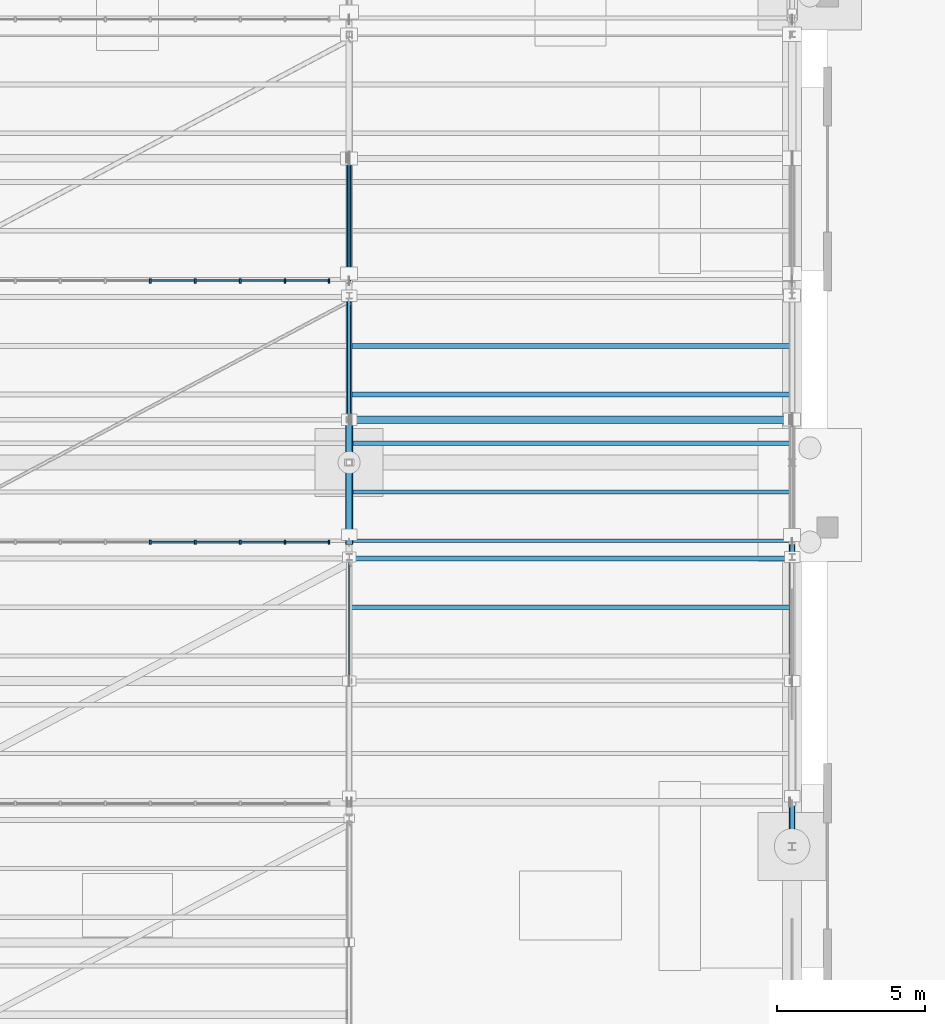
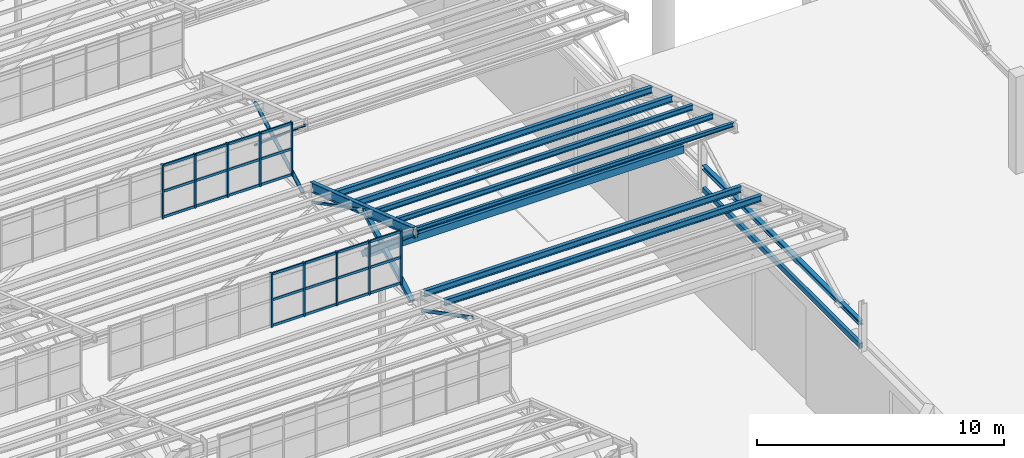
# One storey, part 120 of 285: 41 members, 10 beams, 2 elements without a shape of their own.
"""IFC4 building model written with IfcOpenShell, lengths in metres."""

from ifc_helpers import new_model, si_unit, direction, frame, origin, origin_2d, place, context, subcontext, project, spatial, rectangle, hollow_rectangle, hollow_circle, i_section, extrude, material, material_profile, profile_set, type_object, element, aggregate, save


model = new_model("IFC4")

# Units and contexts
model_context = context("Model", 3, precision=1e-05, world=origin(), true_north=direction((0.0, 1.0)))
body_context = subcontext(model_context, "Body", "Model", "MODEL_VIEW")
ifc_project = project(units=[si_unit("LENGTHUNIT", "METRE"), si_unit("AREAUNIT", "SQUARE_METRE"), si_unit("VOLUMEUNIT", "CUBIC_METRE"), si_unit("PLANEANGLEUNIT", "RADIAN"), si_unit("MASSUNIT", "GRAM", prefix="KILO")], contexts=[model_context])

# Site, building, storey
site_placement = place(None, origin())
site = spatial("IfcSite", under=ifc_project, at=site_placement, CompositionType="ELEMENT")
building_placement = place(site_placement, origin())
building = spatial("IfcBuilding", under=site, at=building_placement, Name="Solanera Park Tramway Depot", CompositionType="ELEMENT")
storey_placement = place(building_placement, origin())
storey = spatial("IfcBuildingStorey", under=building, at=storey_placement, Name="L00", CompositionType="ELEMENT", Elevation=0.0)

# Curtain wall, members
ifc_material_1 = material(Name="Bronze-anodised thermally broken aluminium curtain wall", Category="aluminium")
curtain_wall_type = type_object("IfcCurtainWallType", Name="Sawtooth Clerestory Monitor Curtain Wall", PredefinedType="NOTDEFINED", material=ifc_material_1)
curtain_wall_1_placement = place(storey_placement, origin())
curtain_wall_1 = element("IfcCurtainWall", 1, at=curtain_wall_1_placement, inside=storey, type_object=curtain_wall_type, Name="L00 Sawtooth Clerestory Monitor Curtain Wall #027", PredefinedType="NOTDEFINED")
ifc_material_2 = material(Name="Bronze-anodised structural aluminium 6063-T6", Category="aluminium")
ifc_material_profile_1 = material_profile(ifc_material_2, rectangle(XDim=0.06494140625, YDim=0.14990234375, at=origin_2d()), Name="Curtain Wall Mullion 65x150")
ifc_profile_set_1 = profile_set([ifc_material_profile_1], Name="Bronze-anodised structural aluminium 6063-T6")
member_type_1 = type_object("IfcMemberType", Name="Curtain Wall Mullion 65x150", PredefinedType="MULLION", material=ifc_profile_set_1)
member_1_placement = place(storey_placement, frame((128.260986328125, 82.300048828125, 7.75), z_axis=(0.0, 0.0, 1.0), x_axis=(1.0, 0.0, 0.0)))
member_1 = element("IfcMember", 2, at=member_1_placement, type_object=member_type_1, Name="CW-L00-027 Mullion 6", PredefinedType="MULLION", context=body_context, shape_type="SweptSolid", body=[
    extrude(rectangle(XDim=0.06494140625, YDim=0.14990234375, at=origin_2d()), origin(), (0.0, 0.0, 1.0), 2.6611328125),
])
member_2_placement = place(storey_placement, frame((129.783203125, 82.300048828125, 7.75), z_axis=(0.0, 0.0, 1.0), x_axis=(1.0, 0.0, 0.0)))
member_2 = element("IfcMember", 3, at=member_2_placement, type_object=member_type_1, Name="CW-L00-027 Mullion 7", PredefinedType="MULLION", context=body_context, shape_type="SweptSolid", body=[
    extrude(rectangle(XDim=0.06494140625, YDim=0.14990234375, at=origin_2d()), origin(), (0.0, 0.0, 1.0), 2.6611328125),
])
member_3_placement = place(storey_placement, frame((131.3056640625, 82.300048828125, 7.75), z_axis=(0.0, 0.0, 1.0), x_axis=(1.0, 0.0, 0.0)))
member_3 = element("IfcMember", 4, at=member_3_placement, type_object=member_type_1, Name="CW-L00-027 Mullion 8", PredefinedType="MULLION", context=body_context, shape_type="SweptSolid", body=[
    extrude(rectangle(XDim=0.06494140625, YDim=0.14990234375, at=origin_2d()), origin(), (0.0, 0.0, 1.0), 2.6611328125),
])
member_4_placement = place(storey_placement, frame((132.827880859375, 82.300048828125, 7.75), z_axis=(0.0, 0.0, 1.0), x_axis=(1.0, 0.0, 0.0)))
member_4 = element("IfcMember", 5, at=member_4_placement, type_object=member_type_1, Name="CW-L00-027 Mullion 9", PredefinedType="MULLION", context=body_context, shape_type="SweptSolid", body=[
    extrude(rectangle(XDim=0.06494140625, YDim=0.14990234375, at=origin_2d()), origin(), (0.0, 0.0, 1.0), 2.6611328125),
])
member_5_placement = place(storey_placement, frame((134.3173828125, 82.300048828125, 7.75), z_axis=(0.0, 0.0, 1.0), x_axis=(1.0, 0.0, 0.0)))
member_5 = element("IfcMember", 6, at=member_5_placement, type_object=member_type_1, Name="CW-L00-027 Mullion 10", PredefinedType="MULLION", context=body_context, shape_type="SweptSolid", body=[
    extrude(rectangle(XDim=0.06494140625, YDim=0.14990234375, at=origin_2d()), origin(), (0.0, 0.0, 1.0), 2.6611328125),
])

curtain_wall_2_placement = place(storey_placement, origin())
curtain_wall_2 = element("IfcCurtainWall", 7, at=curtain_wall_2_placement, inside=storey, type_object=curtain_wall_type, Name="L00 Sawtooth Clerestory Monitor Curtain Wall #035", PredefinedType="NOTDEFINED")
member_6_placement = place(storey_placement, frame((128.260986328125, 91.14990234375, 7.75), z_axis=(0.0, 0.0, 1.0), x_axis=(1.0, 0.0, 0.0)))
member_6 = element("IfcMember", 8, at=member_6_placement, type_object=member_type_1, Name="CW-L00-035 Mullion 6", PredefinedType="MULLION", context=body_context, shape_type="SweptSolid", body=[
    extrude(rectangle(XDim=0.06494140625, YDim=0.14990234375, at=origin_2d()), origin(), (0.0, 0.0, 1.0), 2.6611328125),
])
member_7_placement = place(storey_placement, frame((129.783203125, 91.14990234375, 7.75), z_axis=(0.0, 0.0, 1.0), x_axis=(1.0, 0.0, 0.0)))
member_7 = element("IfcMember", 9, at=member_7_placement, type_object=member_type_1, Name="CW-L00-035 Mullion 7", PredefinedType="MULLION", context=body_context, shape_type="SweptSolid", body=[
    extrude(rectangle(XDim=0.06494140625, YDim=0.14990234375, at=origin_2d()), origin(), (0.0, 0.0, 1.0), 2.6611328125),
])
member_8_placement = place(storey_placement, frame((131.3056640625, 91.14990234375, 7.75), z_axis=(0.0, 0.0, 1.0), x_axis=(1.0, 0.0, 0.0)))
member_8 = element("IfcMember", 10, at=member_8_placement, type_object=member_type_1, Name="CW-L00-035 Mullion 8", PredefinedType="MULLION", context=body_context, shape_type="SweptSolid", body=[
    extrude(rectangle(XDim=0.06494140625, YDim=0.14990234375, at=origin_2d()), origin(), (0.0, 0.0, 1.0), 2.6611328125),
])
member_9_placement = place(storey_placement, frame((132.827880859375, 91.14990234375, 7.75), z_axis=(0.0, 0.0, 1.0), x_axis=(1.0, 0.0, 0.0)))
member_9 = element("IfcMember", 11, at=member_9_placement, type_object=member_type_1, Name="CW-L00-035 Mullion 9", PredefinedType="MULLION", context=body_context, shape_type="SweptSolid", body=[
    extrude(rectangle(XDim=0.06494140625, YDim=0.14990234375, at=origin_2d()), origin(), (0.0, 0.0, 1.0), 2.6611328125),
])
member_10_placement = place(storey_placement, frame((134.3173828125, 91.14990234375, 7.75), z_axis=(0.0, 0.0, 1.0), x_axis=(1.0, 0.0, 0.0)))
member_10 = element("IfcMember", 12, at=member_10_placement, type_object=member_type_1, Name="CW-L00-035 Mullion 10", PredefinedType="MULLION", context=body_context, shape_type="SweptSolid", body=[
    extrude(rectangle(XDim=0.06494140625, YDim=0.14990234375, at=origin_2d()), origin(), (0.0, 0.0, 1.0), 2.6611328125),
])

# Member
ifc_material_3 = material(Name="Bronze-anodised structural aluminium 6063-T6", Category="aluminium")
ifc_material_profile_2 = material_profile(ifc_material_3, rectangle(XDim=0.06494140625, YDim=0.1201171875, at=origin_2d()), Name="Curtain Wall Transom 65x120")
ifc_profile_set_2 = profile_set([ifc_material_profile_2], Name="Bronze-anodised structural aluminium 6063-T6")
member_type_2 = type_object("IfcMemberType", Name="Curtain Wall Transom 65x120", PredefinedType="USERDEFINED", material=ifc_profile_set_2)
member_11_placement = place(storey_placement, frame((128.2890625, 82.300048828125, 7.81005859375), z_axis=(1.0, 0.0, 0.0), x_axis=(0.0, 1.0, 0.0)))
member_11 = element("IfcMember", 13, at=member_11_placement, type_object=member_type_2, Name="CW-L00-027 Transom R1.C6", ObjectType="TRANSOM", PredefinedType="USERDEFINED", context=body_context, shape_type="SweptSolid", body=[
    extrude(rectangle(XDim=0.06494140625, YDim=0.1201171875, at=origin_2d()), origin(), (0.0, 0.0, 1.0), 1.46630859375),
])

member_12_placement = place(storey_placement, frame((129.811279296875, 82.300048828125, 7.81005859375), z_axis=(1.0, 0.0, 0.0), x_axis=(0.0, 1.0, 0.0)))
member_12 = element("IfcMember", 14, at=member_12_placement, type_object=member_type_2, Name="CW-L00-027 Transom R1.C7", ObjectType="TRANSOM", PredefinedType="USERDEFINED", context=body_context, shape_type="SweptSolid", body=[
    extrude(rectangle(XDim=0.06494140625, YDim=0.1201171875, at=origin_2d()), origin(), (0.0, 0.0, 1.0), 1.46630859375),
])

member_13_placement = place(storey_placement, frame((131.33349609375, 82.300048828125, 7.81005859375), z_axis=(1.0, 0.0, 0.0), x_axis=(0.0, 1.0, 0.0)))
member_13 = element("IfcMember", 15, at=member_13_placement, type_object=member_type_2, Name="CW-L00-027 Transom R1.C8", ObjectType="TRANSOM", PredefinedType="USERDEFINED", context=body_context, shape_type="SweptSolid", body=[
    extrude(rectangle(XDim=0.06494140625, YDim=0.1201171875, at=origin_2d()), origin(), (0.0, 0.0, 1.0), 1.46630859375),
])

member_14_placement = place(storey_placement, frame((132.855712890625, 82.300048828125, 7.81005859375), z_axis=(1.0, 0.0, 0.0), x_axis=(0.0, 1.0, 0.0)))
member_14 = element("IfcMember", 16, at=member_14_placement, type_object=member_type_2, Name="CW-L00-027 Transom R1.C9", ObjectType="TRANSOM", PredefinedType="USERDEFINED", context=body_context, shape_type="SweptSolid", body=[
    extrude(rectangle(XDim=0.06494140625, YDim=0.1201171875, at=origin_2d()), origin(), (0.0, 0.0, 1.0), 1.433837890625),
])

member_15_placement = place(storey_placement, frame((128.2890625, 82.300048828125, 9.08056640625), z_axis=(1.0, 0.0, 0.0), x_axis=(0.0, 1.0, 0.0)))
member_15 = element("IfcMember", 17, at=member_15_placement, type_object=member_type_2, Name="CW-L00-027 Transom R2.C6", ObjectType="TRANSOM", PredefinedType="USERDEFINED", context=body_context, shape_type="SweptSolid", body=[
    extrude(rectangle(XDim=0.06494140625, YDim=0.1201171875, at=origin_2d()), origin(), (0.0, 0.0, 1.0), 1.46630859375),
])

member_16_placement = place(storey_placement, frame((129.811279296875, 82.300048828125, 9.08056640625), z_axis=(1.0, 0.0, 0.0), x_axis=(0.0, 1.0, 0.0)))
member_16 = element("IfcMember", 18, at=member_16_placement, type_object=member_type_2, Name="CW-L00-027 Transom R2.C7", ObjectType="TRANSOM", PredefinedType="USERDEFINED", context=body_context, shape_type="SweptSolid", body=[
    extrude(rectangle(XDim=0.06494140625, YDim=0.1201171875, at=origin_2d()), origin(), (0.0, 0.0, 1.0), 1.46630859375),
])

member_17_placement = place(storey_placement, frame((131.33349609375, 82.300048828125, 9.08056640625), z_axis=(1.0, 0.0, 0.0), x_axis=(0.0, 1.0, 0.0)))
member_17 = element("IfcMember", 19, at=member_17_placement, type_object=member_type_2, Name="CW-L00-027 Transom R2.C8", ObjectType="TRANSOM", PredefinedType="USERDEFINED", context=body_context, shape_type="SweptSolid", body=[
    extrude(rectangle(XDim=0.06494140625, YDim=0.1201171875, at=origin_2d()), origin(), (0.0, 0.0, 1.0), 1.46630859375),
])

member_18_placement = place(storey_placement, frame((132.855712890625, 82.300048828125, 9.08056640625), z_axis=(1.0, 0.0, 0.0), x_axis=(0.0, 1.0, 0.0)))
member_18 = element("IfcMember", 20, at=member_18_placement, type_object=member_type_2, Name="CW-L00-027 Transom R2.C9", ObjectType="TRANSOM", PredefinedType="USERDEFINED", context=body_context, shape_type="SweptSolid", body=[
    extrude(rectangle(XDim=0.06494140625, YDim=0.1201171875, at=origin_2d()), origin(), (0.0, 0.0, 1.0), 1.433837890625),
])

member_19_placement = place(storey_placement, frame((128.2890625, 82.300048828125, 10.351318359375), z_axis=(1.0, 0.0, 0.0), x_axis=(0.0, 1.0, 0.0)))
member_19 = element("IfcMember", 21, at=member_19_placement, type_object=member_type_2, Name="CW-L00-027 Transom R3.C6", ObjectType="TRANSOM", PredefinedType="USERDEFINED", context=body_context, shape_type="SweptSolid", body=[
    extrude(rectangle(XDim=0.06494140625, YDim=0.1201171875, at=origin_2d()), origin(), (0.0, 0.0, 1.0), 1.46630859375),
])

member_20_placement = place(storey_placement, frame((129.811279296875, 82.300048828125, 10.351318359375), z_axis=(1.0, 0.0, 0.0), x_axis=(0.0, 1.0, 0.0)))
member_20 = element("IfcMember", 22, at=member_20_placement, type_object=member_type_2, Name="CW-L00-027 Transom R3.C7", ObjectType="TRANSOM", PredefinedType="USERDEFINED", context=body_context, shape_type="SweptSolid", body=[
    extrude(rectangle(XDim=0.06494140625, YDim=0.1201171875, at=origin_2d()), origin(), (0.0, 0.0, 1.0), 1.46630859375),
])

member_21_placement = place(storey_placement, frame((131.33349609375, 82.300048828125, 10.351318359375), z_axis=(1.0, 0.0, 0.0), x_axis=(0.0, 1.0, 0.0)))
member_21 = element("IfcMember", 23, at=member_21_placement, type_object=member_type_2, Name="CW-L00-027 Transom R3.C8", ObjectType="TRANSOM", PredefinedType="USERDEFINED", context=body_context, shape_type="SweptSolid", body=[
    extrude(rectangle(XDim=0.06494140625, YDim=0.1201171875, at=origin_2d()), origin(), (0.0, 0.0, 1.0), 1.46630859375),
])

member_22_placement = place(storey_placement, frame((132.855712890625, 82.300048828125, 10.351318359375), z_axis=(1.0, 0.0, 0.0), x_axis=(0.0, 1.0, 0.0)))
member_22 = element("IfcMember", 24, at=member_22_placement, type_object=member_type_2, Name="CW-L00-027 Transom R3.C9", ObjectType="TRANSOM", PredefinedType="USERDEFINED", context=body_context, shape_type="SweptSolid", body=[
    extrude(rectangle(XDim=0.06494140625, YDim=0.1201171875, at=origin_2d()), origin(), (0.0, 0.0, 1.0), 1.433837890625),
])

aggregate(curtain_wall_1, [member_1, member_2, member_3, member_4, member_5, member_11, member_12, member_13, member_14, member_15, member_16, member_17, member_18, member_19, member_20, member_21, member_22])

member_23_placement = place(storey_placement, frame((128.2890625, 91.14990234375, 7.81005859375), z_axis=(1.0, 0.0, 0.0), x_axis=(0.0, 1.0, 0.0)))
member_23 = element("IfcMember", 25, at=member_23_placement, type_object=member_type_2, Name="CW-L00-035 Transom R1.C6", ObjectType="TRANSOM", PredefinedType="USERDEFINED", context=body_context, shape_type="SweptSolid", body=[
    extrude(rectangle(XDim=0.06494140625, YDim=0.1201171875, at=origin_2d()), origin(), (0.0, 0.0, 1.0), 1.46630859375),
])

member_24_placement = place(storey_placement, frame((129.811279296875, 91.14990234375, 7.81005859375), z_axis=(1.0, 0.0, 0.0), x_axis=(0.0, 1.0, 0.0)))
member_24 = element("IfcMember", 26, at=member_24_placement, type_object=member_type_2, Name="CW-L00-035 Transom R1.C7", ObjectType="TRANSOM", PredefinedType="USERDEFINED", context=body_context, shape_type="SweptSolid", body=[
    extrude(rectangle(XDim=0.06494140625, YDim=0.1201171875, at=origin_2d()), origin(), (0.0, 0.0, 1.0), 1.46630859375),
])

member_25_placement = place(storey_placement, frame((131.33349609375, 91.14990234375, 7.81005859375), z_axis=(1.0, 0.0, 0.0), x_axis=(0.0, 1.0, 0.0)))
member_25 = element("IfcMember", 27, at=member_25_placement, type_object=member_type_2, Name="CW-L00-035 Transom R1.C8", ObjectType="TRANSOM", PredefinedType="USERDEFINED", context=body_context, shape_type="SweptSolid", body=[
    extrude(rectangle(XDim=0.06494140625, YDim=0.1201171875, at=origin_2d()), origin(), (0.0, 0.0, 1.0), 1.46630859375),
])

member_26_placement = place(storey_placement, frame((132.855712890625, 91.14990234375, 7.81005859375), z_axis=(1.0, 0.0, 0.0), x_axis=(0.0, 1.0, 0.0)))
member_26 = element("IfcMember", 28, at=member_26_placement, type_object=member_type_2, Name="CW-L00-035 Transom R1.C9", ObjectType="TRANSOM", PredefinedType="USERDEFINED", context=body_context, shape_type="SweptSolid", body=[
    extrude(rectangle(XDim=0.06494140625, YDim=0.1201171875, at=origin_2d()), origin(), (0.0, 0.0, 1.0), 1.433837890625),
])

member_27_placement = place(storey_placement, frame((128.2890625, 91.14990234375, 9.08056640625), z_axis=(1.0, 0.0, 0.0), x_axis=(0.0, 1.0, 0.0)))
member_27 = element("IfcMember", 29, at=member_27_placement, type_object=member_type_2, Name="CW-L00-035 Transom R2.C6", ObjectType="TRANSOM", PredefinedType="USERDEFINED", context=body_context, shape_type="SweptSolid", body=[
    extrude(rectangle(XDim=0.06494140625, YDim=0.1201171875, at=origin_2d()), origin(), (0.0, 0.0, 1.0), 1.46630859375),
])

member_28_placement = place(storey_placement, frame((129.811279296875, 91.14990234375, 9.08056640625), z_axis=(1.0, 0.0, 0.0), x_axis=(0.0, 1.0, 0.0)))
member_28 = element("IfcMember", 30, at=member_28_placement, type_object=member_type_2, Name="CW-L00-035 Transom R2.C7", ObjectType="TRANSOM", PredefinedType="USERDEFINED", context=body_context, shape_type="SweptSolid", body=[
    extrude(rectangle(XDim=0.06494140625, YDim=0.1201171875, at=origin_2d()), origin(), (0.0, 0.0, 1.0), 1.46630859375),
])

member_29_placement = place(storey_placement, frame((131.33349609375, 91.14990234375, 9.08056640625), z_axis=(1.0, 0.0, 0.0), x_axis=(0.0, 1.0, 0.0)))
member_29 = element("IfcMember", 31, at=member_29_placement, type_object=member_type_2, Name="CW-L00-035 Transom R2.C8", ObjectType="TRANSOM", PredefinedType="USERDEFINED", context=body_context, shape_type="SweptSolid", body=[
    extrude(rectangle(XDim=0.06494140625, YDim=0.1201171875, at=origin_2d()), origin(), (0.0, 0.0, 1.0), 1.46630859375),
])

member_30_placement = place(storey_placement, frame((132.855712890625, 91.14990234375, 9.08056640625), z_axis=(1.0, 0.0, 0.0), x_axis=(0.0, 1.0, 0.0)))
member_30 = element("IfcMember", 32, at=member_30_placement, type_object=member_type_2, Name="CW-L00-035 Transom R2.C9", ObjectType="TRANSOM", PredefinedType="USERDEFINED", context=body_context, shape_type="SweptSolid", body=[
    extrude(rectangle(XDim=0.06494140625, YDim=0.1201171875, at=origin_2d()), origin(), (0.0, 0.0, 1.0), 1.433837890625),
])

member_31_placement = place(storey_placement, frame((128.2890625, 91.14990234375, 10.351318359375), z_axis=(1.0, 0.0, 0.0), x_axis=(0.0, 1.0, 0.0)))
member_31 = element("IfcMember", 33, at=member_31_placement, type_object=member_type_2, Name="CW-L00-035 Transom R3.C6", ObjectType="TRANSOM", PredefinedType="USERDEFINED", context=body_context, shape_type="SweptSolid", body=[
    extrude(rectangle(XDim=0.06494140625, YDim=0.1201171875, at=origin_2d()), origin(), (0.0, 0.0, 1.0), 1.46630859375),
])

member_32_placement = place(storey_placement, frame((129.811279296875, 91.14990234375, 10.351318359375), z_axis=(1.0, 0.0, 0.0), x_axis=(0.0, 1.0, 0.0)))
member_32 = element("IfcMember", 34, at=member_32_placement, type_object=member_type_2, Name="CW-L00-035 Transom R3.C7", ObjectType="TRANSOM", PredefinedType="USERDEFINED", context=body_context, shape_type="SweptSolid", body=[
    extrude(rectangle(XDim=0.06494140625, YDim=0.1201171875, at=origin_2d()), origin(), (0.0, 0.0, 1.0), 1.46630859375),
])

member_33_placement = place(storey_placement, frame((131.33349609375, 91.14990234375, 10.351318359375), z_axis=(1.0, 0.0, 0.0), x_axis=(0.0, 1.0, 0.0)))
member_33 = element("IfcMember", 35, at=member_33_placement, type_object=member_type_2, Name="CW-L00-035 Transom R3.C8", ObjectType="TRANSOM", PredefinedType="USERDEFINED", context=body_context, shape_type="SweptSolid", body=[
    extrude(rectangle(XDim=0.06494140625, YDim=0.1201171875, at=origin_2d()), origin(), (0.0, 0.0, 1.0), 1.46630859375),
])

member_34_placement = place(storey_placement, frame((132.855712890625, 91.14990234375, 10.351318359375), z_axis=(1.0, 0.0, 0.0), x_axis=(0.0, 1.0, 0.0)))
member_34 = element("IfcMember", 36, at=member_34_placement, type_object=member_type_2, Name="CW-L00-035 Transom R3.C9", ObjectType="TRANSOM", PredefinedType="USERDEFINED", context=body_context, shape_type="SweptSolid", body=[
    extrude(rectangle(XDim=0.06494140625, YDim=0.1201171875, at=origin_2d()), origin(), (0.0, 0.0, 1.0), 1.433837890625),
])

aggregate(curtain_wall_2, [member_6, member_7, member_8, member_9, member_10, member_23, member_24, member_25, member_26, member_27, member_28, member_29, member_30, member_31, member_32, member_33, member_34])

# Beam
ifc_material_4 = material(Name="Steel AS/NZS 1163 Grade C350L0", Category="steel")
ifc_material_profile_3 = material_profile(ifc_material_4, hollow_rectangle(XDim=0.14990234375, YDim=0.25, WallThickness=0.008056640625, at=origin_2d()), Name="250x150x8.0 RHS")
ifc_profile_set_3 = profile_set([ifc_material_profile_3], Name="Steel AS/NZS 1163 Grade C350L0")
beam_type_1 = type_object("IfcBeamType", Name="Opening Lintel Beam 250x150x8.0 RHS", PredefinedType="LINTEL", material=ifc_profile_set_3)
beam_1_placement = place(storey_placement, frame((150.0, 72.1201171875, 5.375), z_axis=(0.0, 1.0, 0.0), x_axis=(-1.0, 0.0, 0.0)))
element("IfcBeam", 37, at=beam_1_placement, inside=storey, type_object=beam_type_1, Name="L00 Portal Transom Lintel 250x150x8.0 RHS #0298", PredefinedType="LINTEL", context=body_context, shape_type="SweptSolid", body=[
    extrude(hollow_rectangle(XDim=0.14990234375, YDim=0.25, WallThickness=0.008056640625, at=origin_2d()), origin(), (0.0, 0.0, 1.0), 12.759765625),
])

# Members
ifc_material_5 = material(Name="Steel AS/NZS 1163 Grade C350L0", Category="steel")
ifc_material_profile_4 = material_profile(ifc_material_5, hollow_circle(Radius=0.084228515625, WallThickness=0.00634765625, at=origin_2d()), Name="168.3x6.4 CHS")
ifc_profile_set_4 = profile_set([ifc_material_profile_4], Name="Steel AS/NZS 1163 Grade C350L0")
member_type_3 = type_object("IfcMemberType", Name="Roof Gantry Compression Strut 168.3x6.4 CHS", PredefinedType="STRUT", material=ifc_profile_set_4)
member_35_placement = place(storey_placement, frame((135.0, 91.39990234375, 6.5), z_axis=(0.0, 0.877679219611, 0.479248565425), x_axis=(-1.0, 0.0, 0.0)))
element("IfcMember", 38, at=member_35_placement, inside=storey, type_object=member_type_3, Name="Sawtooth ROOF TRUSS Strut 168.3x6.4 CHS #0208", PredefinedType="STRUT", context=body_context, shape_type="SweptSolid", body=[
    extrude(hollow_circle(Radius=0.084228515625, WallThickness=0.00634765625, at=origin_2d()), origin(), (0.0, 0.0, 1.0), 4.443603515625),
])
ifc_material_6 = material(Name="Steel AS/NZS 1163 Grade C350L0", Category="steel")
ifc_material_profile_5 = material_profile(ifc_material_6, hollow_rectangle(XDim=0.199951171875, YDim=0.199951171875, WallThickness=0.008056640625, at=origin_2d()), Name="200x200x8.0 SHS")
ifc_profile_set_5 = profile_set([ifc_material_profile_5], Name="Steel AS/NZS 1163 Grade C350L0")
member_type_4 = type_object("IfcMemberType", Name="Roof Gantry Compression Strut 200x200x8.0 SHS", PredefinedType="STRUT", material=ifc_profile_set_5)
member_36_placement = place(storey_placement, frame((135.0, 82.550048828125, 6.5), z_axis=(0.0, 0.874074669389, 0.485791593517), x_axis=(-1.0, 0.0, 0.0)))
element("IfcMember", 39, at=member_36_placement, inside=storey, type_object=member_type_4, Name="Sawtooth ROOF TRUSS Strut 200x200x8.0 SHS #0161", PredefinedType="STRUT", context=body_context, shape_type="SweptSolid", body=[
    extrude(hollow_rectangle(XDim=0.199951171875, YDim=0.199951171875, WallThickness=0.008056640625, at=origin_2d()), origin(), (0.0, 0.0, 1.0), 4.461669921875),
])
ifc_material_7 = material(Name="Steel AS/NZS 1163 Grade C350L0", Category="steel")
ifc_material_profile_6 = material_profile(ifc_material_7, hollow_rectangle(XDim=0.25, YDim=0.35009765625, WallThickness=0.010009765625, at=origin_2d()), Name="350x250x10.0 RHS")
ifc_profile_set_6 = profile_set([ifc_material_profile_6], Name="Steel AS/NZS 1163 Grade C350L0")
member_type_5 = type_object("IfcMemberType", Name="Secondary Truss Chord 350x250x10.0 RHS", PredefinedType="CHORD", material=ifc_profile_set_6)
member_37_placement = place(storey_placement, frame((135.087890625, 86.449951171875, 6.5), z_axis=(1.0, 0.0, 0.0), x_axis=(0.0, 1.0, 0.0)))
element("IfcMember", 40, at=member_37_placement, inside=storey, type_object=member_type_5, Name="Sawtooth Longitudinal Tie Chord 350x250x10.0 RHS #0178", PredefinedType="CHORD", context=body_context, shape_type="SweptSolid", body=[
    extrude(hollow_rectangle(XDim=0.25, YDim=0.35009765625, WallThickness=0.010009765625, at=origin_2d()), origin(), (0.0, 0.0, 1.0), 14.82421875),
])

# Beams
ifc_material_8 = material(Name="Steel AS/NZS 3679.1 Grade 350", Category="steel")
ifc_material_profile_7 = material_profile(ifc_material_8, i_section(OverallWidth=0.205078125, OverallDepth=0.209716796875, WebThickness=0.00927734375, FlangeThickness=0.01416015625, at=origin_2d()), Name="200UC59.5")
ifc_profile_set_7 = profile_set([ifc_material_profile_7], Name="Steel AS/NZS 3679.1 Grade 350")
beam_type_2 = type_object("IfcBeamType", Name="Steel Beam 200UC59.5", PredefinedType="BEAM", material=ifc_profile_set_7)
beam_2_placement = place(storey_placement, frame((150.0, 72.126953125, 6.5), z_axis=(0.0, 1.0, 0.0), x_axis=(-1.0, 0.0, 0.0)))
element("IfcBeam", 41, at=beam_2_placement, inside=storey, type_object=beam_type_2, Name="Sawtooth ROOF TRUSS Bottom Chord 200UC59.5 #0397", PredefinedType="BEAM", context=body_context, shape_type="SweptSolid", body=[
    extrude(i_section(OverallWidth=0.205078125, OverallDepth=0.209716796875, WebThickness=0.00927734375, FlangeThickness=0.01416015625, at=origin_2d()), origin(), (0.0, 0.0, 1.0), 12.745361328125),
])
ifc_material_9 = material(Name="Steel AS/NZS 3679.1 Grade 350", Category="steel")
ifc_material_profile_8 = material_profile(ifc_material_9, i_section(OverallWidth=0.1904296875, OverallDepth=0.45751953125, WebThickness=0.009033203125, FlangeThickness=0.014404296875, at=origin_2d()), Name="460UB74.6")
ifc_profile_set_8 = profile_set([ifc_material_profile_8], Name="Steel AS/NZS 3679.1 Grade 350")
beam_type_3 = type_object("IfcBeamType", Name="Steel Beam 460UB74.6", PredefinedType="BEAM", material=ifc_profile_set_8)
beam_3_placement = place(storey_placement, frame((135.0, 82.300048828125, 10.05615234375), z_axis=(0.0, 0.948319437663, -0.317317261034), x_axis=(-1.0, 0.0, 0.0)))
element("IfcBeam", 42, at=beam_3_placement, inside=storey, type_object=beam_type_3, Name="Sawtooth ROOF TRUSS Top Rafter 460UB74.6 B04-T10", PredefinedType="BEAM", context=body_context, shape_type="SweptSolid", body=[
    extrude(i_section(OverallWidth=0.1904296875, OverallDepth=0.45751953125, WebThickness=0.009033203125, FlangeThickness=0.014404296875, at=origin_2d()), origin(), (0.0, 0.0, 1.0), 8.804931640625),
])
ifc_material_10 = material(Name="Steel AS/NZS 3679.1 Grade 350", Category="steel")
ifc_material_profile_9 = material_profile(ifc_material_10, i_section(OverallWidth=0.13330078125, OverallDepth=0.203125, WebThickness=0.005859375, FlangeThickness=0.0078125, at=origin_2d()), Name="200UB25.4")
ifc_profile_set_9 = profile_set([ifc_material_profile_9], Name="Steel AS/NZS 3679.1 Grade 350")
beam_type_4 = type_object("IfcBeamType", Name="Steel Joist Purlin 200UB25.4", PredefinedType="JOIST", material=ifc_profile_set_9)
beam_4_placement = place(storey_placement, frame((135.087158203125, 82.35009765625, 10.166259765625), z_axis=(1.0, 0.0, 0.0), x_axis=(0.0, 1.0, 0.0)))
element("IfcBeam", 43, at=beam_4_placement, inside=storey, type_object=beam_type_4, Name="Sawtooth Roof Purlin 200UB25.4 B04.1", PredefinedType="JOIST", context=body_context, shape_type="SweptSolid", body=[
    extrude(i_section(OverallWidth=0.13330078125, OverallDepth=0.203125, WebThickness=0.005859375, FlangeThickness=0.0078125, at=origin_2d()), origin(), (0.0, 0.0, 1.0), 14.816162109375),
])
ifc_material_11 = material(Name="Steel AS/NZS 3679.1 Grade 350", Category="steel")
ifc_material_profile_10 = material_profile(ifc_material_11, i_section(OverallWidth=0.14599609375, OverallDepth=0.251708984375, WebThickness=0.006103515625, FlangeThickness=0.008544921875, at=origin_2d()), Name="250UB31.4")
ifc_profile_set_10 = profile_set([ifc_material_profile_10], Name="Steel AS/NZS 3679.1 Grade 350")
beam_type_5 = type_object("IfcBeamType", Name="Steel Joist Purlin 250UB31.4", PredefinedType="JOIST", material=ifc_profile_set_10)
beam_5_placement = place(storey_placement, frame((135.087158203125, 84.0, 9.587890625), z_axis=(1.0, 0.0, 0.0), x_axis=(0.0, 1.0, 0.0)))
element("IfcBeam", 44, at=beam_5_placement, inside=storey, type_object=beam_type_5, Name="Sawtooth Roof Purlin 250UB31.4 B04.2", PredefinedType="JOIST", context=body_context, shape_type="SweptSolid", body=[
    extrude(i_section(OverallWidth=0.14599609375, OverallDepth=0.251708984375, WebThickness=0.006103515625, FlangeThickness=0.008544921875, at=origin_2d()), origin(), (0.0, 0.0, 1.0), 14.816162109375),
])
ifc_material_12 = material(Name="Steel AS/NZS 3679.1 Grade 350", Category="steel")
ifc_material_profile_11 = material_profile(ifc_material_12, i_section(OverallWidth=0.146484375, OverallDepth=0.256103515625, WebThickness=0.00634765625, FlangeThickness=0.010986328125, at=origin_2d()), Name="250UB37.3")
ifc_profile_set_11 = profile_set([ifc_material_profile_11], Name="Steel AS/NZS 3679.1 Grade 350")
beam_type_6 = type_object("IfcBeamType", Name="Steel Joist Purlin 250UB37.3", PredefinedType="JOIST", material=ifc_profile_set_11)
beam_6_placement = place(storey_placement, frame((135.087158203125, 85.64990234375, 9.033203125), z_axis=(1.0, 0.0, 0.0), x_axis=(0.0, 1.0, 0.0)))
element("IfcBeam", 45, at=beam_6_placement, inside=storey, type_object=beam_type_6, Name="Sawtooth Roof Purlin 250UB37.3 B04.3", PredefinedType="JOIST", context=body_context, shape_type="SweptSolid", body=[
    extrude(i_section(OverallWidth=0.146484375, OverallDepth=0.256103515625, WebThickness=0.00634765625, FlangeThickness=0.010986328125, at=origin_2d()), origin(), (0.0, 0.0, 1.0), 14.816162109375),
])
ifc_material_13 = material(Name="Steel AS/NZS 3679.1 Grade 350", Category="steel")
ifc_material_profile_12 = material_profile(ifc_material_13, i_section(OverallWidth=0.1650390625, OverallDepth=0.3037109375, WebThickness=0.006103515625, FlangeThickness=0.01025390625, at=origin_2d()), Name="310UB40.4")
ifc_profile_set_12 = profile_set([ifc_material_profile_12], Name="Steel AS/NZS 3679.1 Grade 350")
beam_type_7 = type_object("IfcBeamType", Name="Steel Joist Purlin 310UB40.4", PredefinedType="JOIST", material=ifc_profile_set_12)
beam_7_placement = place(storey_placement, frame((135.080810546875, 80.10009765625, 7.902099609375), z_axis=(1.0, 0.0, 0.0), x_axis=(0.0, 1.0, 0.0)))
element("IfcBeam", 46, at=beam_7_placement, inside=storey, type_object=beam_type_7, Name="Sawtooth Roof Purlin 310UB40.4 B03.5", PredefinedType="JOIST", context=body_context, shape_type="SweptSolid", body=[
    extrude(i_section(OverallWidth=0.1650390625, OverallDepth=0.3037109375, WebThickness=0.006103515625, FlangeThickness=0.01025390625, at=origin_2d()), origin(), (0.0, 0.0, 1.0), 14.83203125),
])
beam_8_placement = place(storey_placement, frame((135.087158203125, 87.300048828125, 8.454345703125), z_axis=(1.0, 0.0, 0.0), x_axis=(0.0, 1.0, 0.0)))
element("IfcBeam", 47, at=beam_8_placement, inside=storey, type_object=beam_type_7, Name="Sawtooth Roof Purlin 310UB40.4 B04.4", PredefinedType="JOIST", context=body_context, shape_type="SweptSolid", body=[
    extrude(i_section(OverallWidth=0.1650390625, OverallDepth=0.3037109375, WebThickness=0.006103515625, FlangeThickness=0.01025390625, at=origin_2d()), origin(), (0.0, 0.0, 1.0), 14.816162109375),
])
ifc_material_14 = material(Name="Steel AS/NZS 3679.1 Grade 350", Category="steel")
ifc_material_profile_13 = material_profile(ifc_material_14, i_section(OverallWidth=0.166015625, OverallDepth=0.30712890625, WebThickness=0.006591796875, FlangeThickness=0.01171875, at=origin_2d()), Name="310UB46.2")
ifc_profile_set_13 = profile_set([ifc_material_profile_13], Name="Steel AS/NZS 3679.1 Grade 350")
beam_type_8 = type_object("IfcBeamType", Name="Steel Joist Purlin 310UB46.2", PredefinedType="JOIST", material=ifc_profile_set_13)
beam_9_placement = place(storey_placement, frame((135.080810546875, 81.75, 7.348388671875), z_axis=(1.0, 0.0, 0.0), x_axis=(0.0, 1.0, 0.0)))
element("IfcBeam", 48, at=beam_9_placement, inside=storey, type_object=beam_type_8, Name="Sawtooth Roof Purlin 310UB46.2 B03.6", PredefinedType="JOIST", context=body_context, shape_type="SweptSolid", body=[
    extrude(i_section(OverallWidth=0.166015625, OverallDepth=0.30712890625, WebThickness=0.006591796875, FlangeThickness=0.01171875, at=origin_2d()), origin(), (0.0, 0.0, 1.0), 14.83203125),
])
beam_10_placement = place(storey_placement, frame((135.087158203125, 88.949951171875, 7.900390625), z_axis=(1.0, 0.0, 0.0), x_axis=(0.0, 1.0, 0.0)))
element("IfcBeam", 49, at=beam_10_placement, inside=storey, type_object=beam_type_8, Name="Sawtooth Roof Purlin 310UB46.2 B04.5", PredefinedType="JOIST", context=body_context, shape_type="SweptSolid", body=[
    extrude(i_section(OverallWidth=0.166015625, OverallDepth=0.30712890625, WebThickness=0.006591796875, FlangeThickness=0.01171875, at=origin_2d()), origin(), (0.0, 0.0, 1.0), 14.816162109375),
])

# Members
ifc_material_15 = material(Name="Steel AS/NZS 1163 Grade C350L0", Category="steel")
ifc_material_profile_14 = material_profile(ifc_material_15, hollow_rectangle(XDim=0.10009765625, YDim=0.10009765625, WallThickness=0.0048828125, at=origin_2d()), Name="100x100x5.0 SHS")
ifc_profile_set_14 = profile_set([ifc_material_profile_14], Name="Steel AS/NZS 1163 Grade C350L0")
member_type_6 = type_object("IfcMemberType", Name="Truss and Frame Brace 100x100x5.0 SHS", PredefinedType="BRACE", material=ifc_profile_set_14)
member_38_placement = place(storey_placement, frame((135.0, 90.64990234375, 6.5), z_axis=(0.0, -0.888641030015, 0.458603445008), x_axis=(1.0, 0.0, 0.0)))
element("IfcMember", 50, at=member_38_placement, inside=storey, type_object=member_type_6, Name="Sawtooth ROOF TRUSS Diagonal 100x100x5.0 SHS #0160", PredefinedType="BRACE", context=body_context, shape_type="SweptSolid", body=[
    extrude(hollow_rectangle(XDim=0.10009765625, YDim=0.10009765625, WallThickness=0.0048828125, at=origin_2d()), origin(), (0.0, 0.0, 1.0), 4.726318359375),
])
ifc_material_16 = material(Name="Steel AS/NZS 1163 Grade C350L0", Category="steel")
ifc_material_profile_15 = material_profile(ifc_material_16, hollow_circle(Radius=0.05712890625, WallThickness=0.0048828125, at=origin_2d()), Name="114.3x4.8 CHS")
ifc_profile_set_15 = profile_set([ifc_material_profile_15], Name="Steel AS/NZS 1163 Grade C350L0")
member_type_7 = type_object("IfcMemberType", Name="Truss and Frame Brace 114.3x4.8 CHS", PredefinedType="BRACE", material=ifc_profile_set_15)
member_39_placement = place(storey_placement, frame((135.0, 95.300048828125, 6.5), z_axis=(0.0, -0.762783427217, 0.646654036686), x_axis=(1.0, 0.0, 0.0)))
element("IfcMember", 51, at=member_39_placement, inside=storey, type_object=member_type_7, Name="Sawtooth ROOF TRUSS Web Brace 114.3x4.8 CHS #0206", PredefinedType="BRACE", context=body_context, shape_type="SweptSolid", body=[
    extrude(hollow_circle(Radius=0.05712890625, WallThickness=0.0048828125, at=origin_2d()), origin(), (0.0, 0.0, 1.0), 5.440673828125),
])
ifc_material_17 = material(Name="Steel AS/NZS 1163 Grade C350L0", Category="steel")
ifc_material_profile_16 = material_profile(ifc_material_17, hollow_rectangle(XDim=0.050048828125, YDim=0.14990234375, WallThickness=0.0048828125, at=origin_2d()), Name="150x50x5.0 RHS")
ifc_profile_set_16 = profile_set([ifc_material_profile_16], Name="Steel AS/NZS 1163 Grade C350L0")
member_type_8 = type_object("IfcMemberType", Name="Truss and Frame Brace 150x50x5.0 RHS", PredefinedType="BRACE", material=ifc_profile_set_16)
member_40_placement = place(storey_placement, frame((135.0, 81.800048828125, 6.5), z_axis=(0.0, -0.886425847493, 0.462870626521), x_axis=(1.0, 0.0, 0.0)))
element("IfcMember", 52, at=member_40_placement, inside=storey, type_object=member_type_8, Name="Sawtooth ROOF TRUSS Diagonal 150x50x5.0 RHS #0113", PredefinedType="BRACE", context=body_context, shape_type="SweptSolid", body=[
    extrude(hollow_rectangle(XDim=0.050048828125, YDim=0.14990234375, WallThickness=0.0048828125, at=origin_2d()), origin(), (0.0, 0.0, 1.0), 4.738037109375),
])
ifc_material_18 = material(Name="Steel AS/NZS 1163 Grade C350L0", Category="steel")
ifc_material_profile_17 = material_profile(ifc_material_18, hollow_rectangle(XDim=0.25, YDim=0.25, WallThickness=0.010009765625, at=origin_2d()), Name="250x250x10.0 SHS")
ifc_profile_set_17 = profile_set([ifc_material_profile_17], Name="Steel AS/NZS 1163 Grade C350L0")
member_type_9 = type_object("IfcMemberType", Name="Truss and Frame Brace 250x250x10.0 SHS", PredefinedType="BRACE", material=ifc_profile_set_17)
member_41_placement = place(storey_placement, frame((135.0, 86.449951171875, 6.5), z_axis=(0.0, -0.759338583023, 0.650695717162), x_axis=(1.0, 0.0, 0.0)))
element("IfcMember", 53, at=member_41_placement, inside=storey, type_object=member_type_9, Name="Sawtooth ROOF TRUSS Web Brace 250x250x10.0 SHS #0159", PredefinedType="BRACE", context=body_context, shape_type="SweptSolid", body=[
    extrude(hollow_rectangle(XDim=0.25, YDim=0.25, WallThickness=0.010009765625, at=origin_2d()), origin(), (0.0, 0.0, 1.0), 5.465087890625),
])

save(model, "model.ifc")
